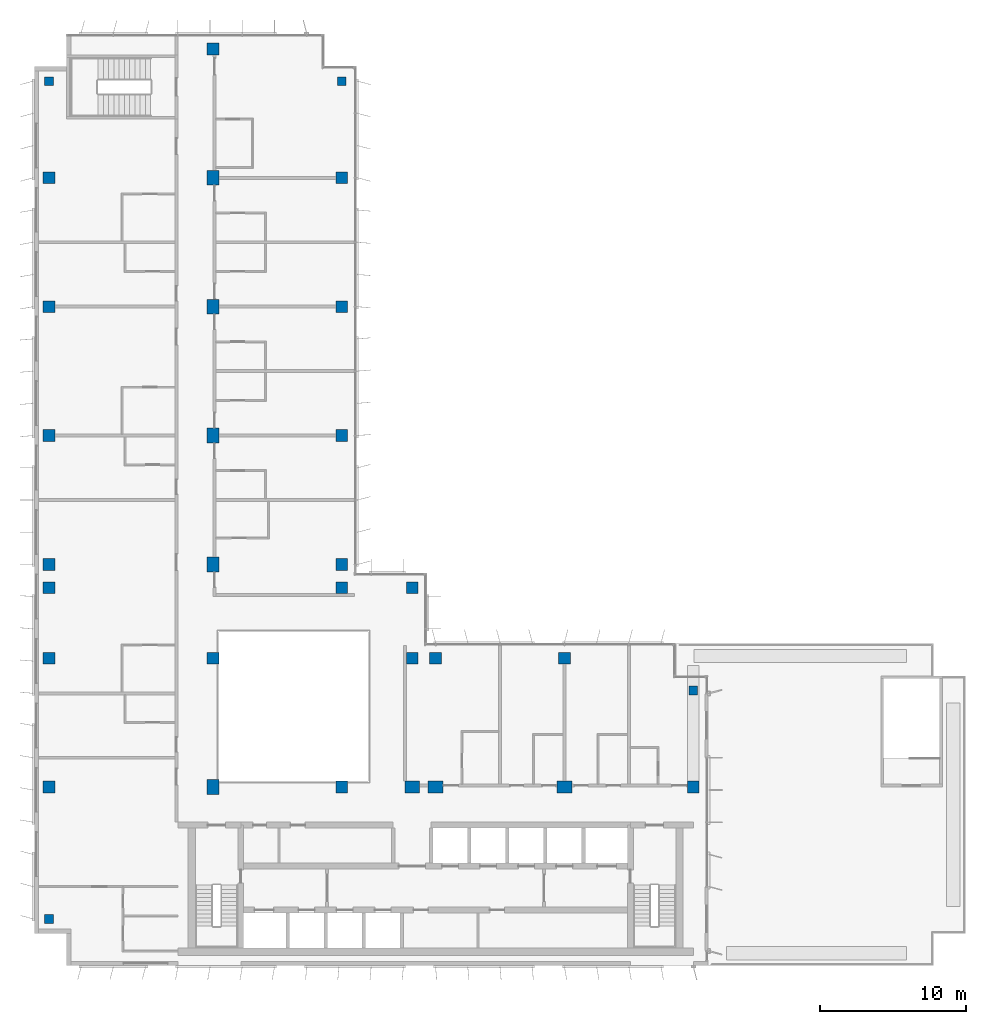
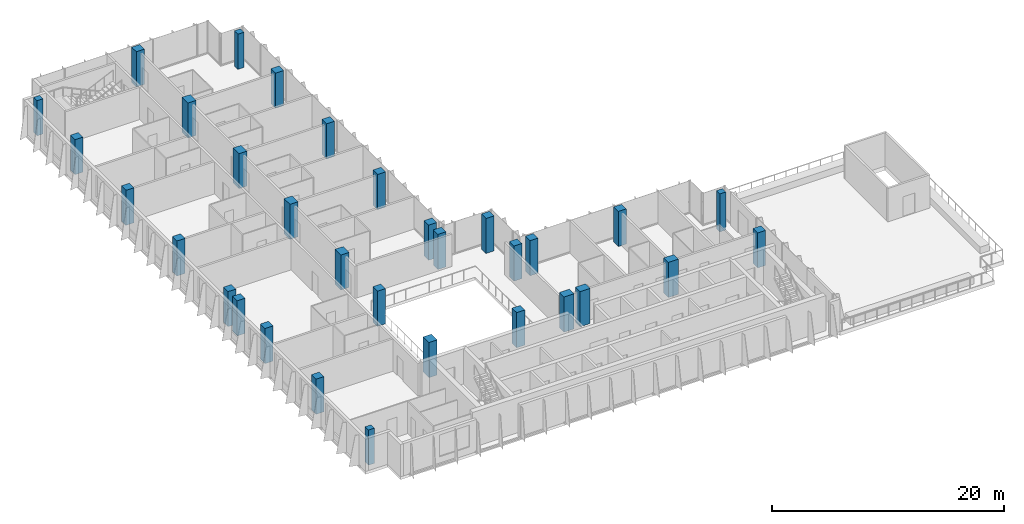
# One storey, part 1 of 17: 32 columns.
"""IFC4 building model written with IfcOpenShell, lengths in metres."""

from ifc_helpers import new_model, si_unit, direction, frame, origin, origin_2d, place, context, subcontext, project, spatial, rectangle, extrude, material, material_profile, profile_set, type_object, element, save


model = new_model("IFC4")

# Units and contexts
model_context = context("Model", 3, precision=1e-05, world=origin(), true_north=direction((0.0, 1.0)))
body_context = subcontext(model_context, "Body", "Model", "MODEL_VIEW")
ifc_project = project(units=[si_unit("LENGTHUNIT", "METRE"), si_unit("AREAUNIT", "SQUARE_METRE"), si_unit("VOLUMEUNIT", "CUBIC_METRE"), si_unit("PLANEANGLEUNIT", "RADIAN"), si_unit("MASSUNIT", "GRAM", prefix="KILO")], contexts=[model_context])

# Site, building, storey
site_placement = place(None, origin())
site = spatial("IfcSite", under=ifc_project, at=site_placement, CompositionType="ELEMENT")
building_placement = place(site_placement, origin())
building = spatial("IfcBuilding", under=site, at=building_placement, Name="Kemantara Hotel Tower", CompositionType="ELEMENT")
storey_placement = place(building_placement, frame((0.0, 0.0, 222.800048828125)))
storey = spatial("IfcBuildingStorey", under=building, at=storey_placement, Name="L55", CompositionType="ELEMENT", Elevation=222.800048828125)

# Columns
ifc_material = material(Name="Concrete fc 60 MPa", Category="concrete")
ifc_material_profile_1 = material_profile(ifc_material, rectangle(XDim=1.0, YDim=0.800048828125, at=origin_2d()), Name="RC 1000X800")
ifc_profile_set_1 = profile_set([ifc_material_profile_1], Name="Concrete fc 60 MPa")
column_type_1 = type_object("IfcColumnType", Name="RC COLUMN 1000X800 FC60", PredefinedType="COLUMN", material=ifc_profile_set_1)
for number, where, z_axis, x_axis, name in (
    (1, (12.199951171875, 12.199951171875, 0.0), (0.0, 0.0, 1.0), (0.0, 1.0, 0.0), "COLUMN 2A/BA L55"),
    (2, (12.199951171875, 27.39990234375, 0.0), (0.0, 0.0, 1.0), (0.0, 1.0, 0.0), "COLUMN 2A/D L55"),
    (3, (12.199951171875, 36.199951171875, 0.0), (0.0, 0.0, 1.0), (0.0, 1.0, 0.0), "COLUMN 2A/E L55"),
    (4, (12.199951171875, 45.0, 0.0), (0.0, 0.0, 1.0), (0.0, 1.0, 0.0), "COLUMN 2A/F L55"),
    (5, (12.199951171875, 53.800048828125, 0.0), (0.0, 0.0, 1.0), (0.0, 1.0, 0.0), "COLUMN 2A/G L55"),
    (6, (25.800048828125, 12.199951171875, 0.0), (0.0, 0.0, 1.0), (1.0, 0.0, 0.0), "COLUMN 3A/BA L55"),
    (7, (27.39990234375, 12.199951171875, 0.0), (0.0, 0.0, 1.0), (1.0, 0.0, 0.0), "COLUMN 4/BA L55"),
    (8, (36.199951171875, 12.199951171875, 0.0), (0.0, 0.0, 1.0), (1.0, 0.0, 0.0), "COLUMN 5/BA L55"),
):
    element("IfcColumn", number, at=place(storey_placement, frame(where, z_axis=z_axis, x_axis=x_axis)), inside=storey, type_object=column_type_1, Name=name, PredefinedType="COLUMN", context=body_context, shape_type="SweptSolid", body=[
        extrude(rectangle(XDim=1.0, YDim=0.800048828125, at=origin_2d()), origin(), (0.0, 0.0, 1.0), 3.699951171875),
    ])
ifc_material_profile_2 = material_profile(ifc_material, rectangle(XDim=0.60009765625, YDim=0.60009765625, at=origin_2d()), Name="RC 600X600")
ifc_profile_set_2 = profile_set([ifc_material_profile_2], Name="Concrete fc 60 MPa")
column_type_2 = type_object("IfcColumnType", Name="RC COLUMN 600X600 FC60", PredefinedType="COLUMN", material=ifc_profile_set_2)
for number, where, z_axis, x_axis, name in (
    (9, (1.0, 3.199951171875, 0.0), (0.0, 0.0, 1.0), (1.0, 0.0, 0.0), "COLUMN notch corner L55"),
    (10, (1.0, 60.39990234375, 0.0), (0.0, 0.0, 1.0), (1.0, 0.0, 0.0), "COLUMN notch corner L55"),
    (11, (21.0, 60.39990234375, 0.0), (0.0, 0.0, 1.0), (1.0, 0.0, 0.0), "COLUMN notch corner L55"),
):
    element("IfcColumn", number, at=place(storey_placement, frame(where, z_axis=z_axis, x_axis=x_axis)), inside=storey, type_object=column_type_2, Name=name, PredefinedType="COLUMN", context=body_context, shape_type="SweptSolid", body=[
        extrude(rectangle(XDim=0.60009765625, YDim=0.60009765625, at=origin_2d()), origin(), (0.0, 0.0, 1.0), 3.699951171875),
    ])
column_placement = place(storey_placement, frame((45.0, 18.800048828125, -0.300048828125), z_axis=(0.0, 0.0, 1.0), x_axis=(1.0, 0.0, 0.0)))
element("IfcColumn", 12, at=column_placement, inside=storey, type_object=column_type_2, Name="Transfer column TC5 L55", PredefinedType="COLUMN", context=body_context, shape_type="SweptSolid", body=[
    extrude(rectangle(XDim=0.60009765625, YDim=0.60009765625, at=origin_2d()), origin(), (0.0, 0.0, 1.0), 4.0),
])
ifc_material_profile_3 = material_profile(ifc_material, rectangle(XDim=0.800048828125, YDim=0.800048828125, at=origin_2d()), Name="RC 800X800")
ifc_profile_set_3 = profile_set([ifc_material_profile_3], Name="Concrete fc 60 MPa")
column_type_3 = type_object("IfcColumnType", Name="RC COLUMN 800X800 FC60", PredefinedType="COLUMN", material=ifc_profile_set_3)
for number, where, z_axis, x_axis, name in (
    (13, (1.0, 12.199951171875, 0.0), (0.0, 0.0, 1.0), (1.0, 0.0, 0.0), "COLUMN 1/BA L55"),
    (14, (1.0, 21.0, 0.0), (0.0, 0.0, 1.0), (1.0, 0.0, 0.0), "COLUMN 1/C L55"),
    (15, (1.0, 25.800048828125, 0.0), (0.0, 0.0, 1.0), (1.0, 0.0, 0.0), "COLUMN 1/CA L55"),
    (16, (1.0, 27.39990234375, 0.0), (0.0, 0.0, 1.0), (1.0, 0.0, 0.0), "COLUMN 1/D L55"),
    (17, (1.0, 36.199951171875, 0.0), (0.0, 0.0, 1.0), (1.0, 0.0, 0.0), "COLUMN 1/E L55"),
    (18, (1.0, 45.0, 0.0), (0.0, 0.0, 1.0), (1.0, 0.0, 0.0), "COLUMN 1/F L55"),
    (19, (1.0, 53.800048828125, 0.0), (0.0, 0.0, 1.0), (1.0, 0.0, 0.0), "COLUMN 1/G L55"),
    (20, (12.199951171875, 21.0, 0.0), (0.0, 0.0, 1.0), (1.0, 0.0, 0.0), "COLUMN 2A/C L55"),
    (21, (12.199951171875, 62.60009765625, 0.0), (0.0, 0.0, 1.0), (1.0, 0.0, 0.0), "COLUMN 2A/H L55"),
    (22, (21.0, 12.199951171875, 0.0), (0.0, 0.0, 1.0), (1.0, 0.0, 0.0), "COLUMN 3/BA L55"),
    (23, (21.0, 25.800048828125, 0.0), (0.0, 0.0, 1.0), (1.0, 0.0, 0.0), "COLUMN 3/CA L55"),
    (24, (21.0, 27.39990234375, 0.0), (0.0, 0.0, 1.0), (1.0, 0.0, 0.0), "COLUMN 3/D L55"),
    (25, (21.0, 36.199951171875, 0.0), (0.0, 0.0, 1.0), (1.0, 0.0, 0.0), "COLUMN 3/E L55"),
    (26, (21.0, 45.0, 0.0), (0.0, 0.0, 1.0), (1.0, 0.0, 0.0), "COLUMN 3/F L55"),
    (27, (21.0, 53.800048828125, 0.0), (0.0, 0.0, 1.0), (1.0, 0.0, 0.0), "COLUMN 3/G L55"),
    (28, (25.800048828125, 21.0, 0.0), (0.0, 0.0, 1.0), (1.0, 0.0, 0.0), "COLUMN 3A/C L55"),
    (29, (25.800048828125, 25.800048828125, 0.0), (0.0, 0.0, 1.0), (1.0, 0.0, 0.0), "COLUMN 3A/CA L55"),
    (30, (27.39990234375, 21.0, 0.0), (0.0, 0.0, 1.0), (1.0, 0.0, 0.0), "COLUMN 4/C L55"),
    (31, (36.199951171875, 21.0, 0.0), (0.0, 0.0, 1.0), (1.0, 0.0, 0.0), "COLUMN 5/C L55"),
    (32, (45.0, 12.199951171875, 0.0), (0.0, 0.0, 1.0), (1.0, 0.0, 0.0), "COLUMN 6/BA L55"),
):
    element("IfcColumn", number, at=place(storey_placement, frame(where, z_axis=z_axis, x_axis=x_axis)), inside=storey, type_object=column_type_3, Name=name, PredefinedType="COLUMN", context=body_context, shape_type="SweptSolid", body=[
        extrude(rectangle(XDim=0.800048828125, YDim=0.800048828125, at=origin_2d()), origin(), (0.0, 0.0, 1.0), 3.699951171875),
    ])

save(model, "model.ifc")
